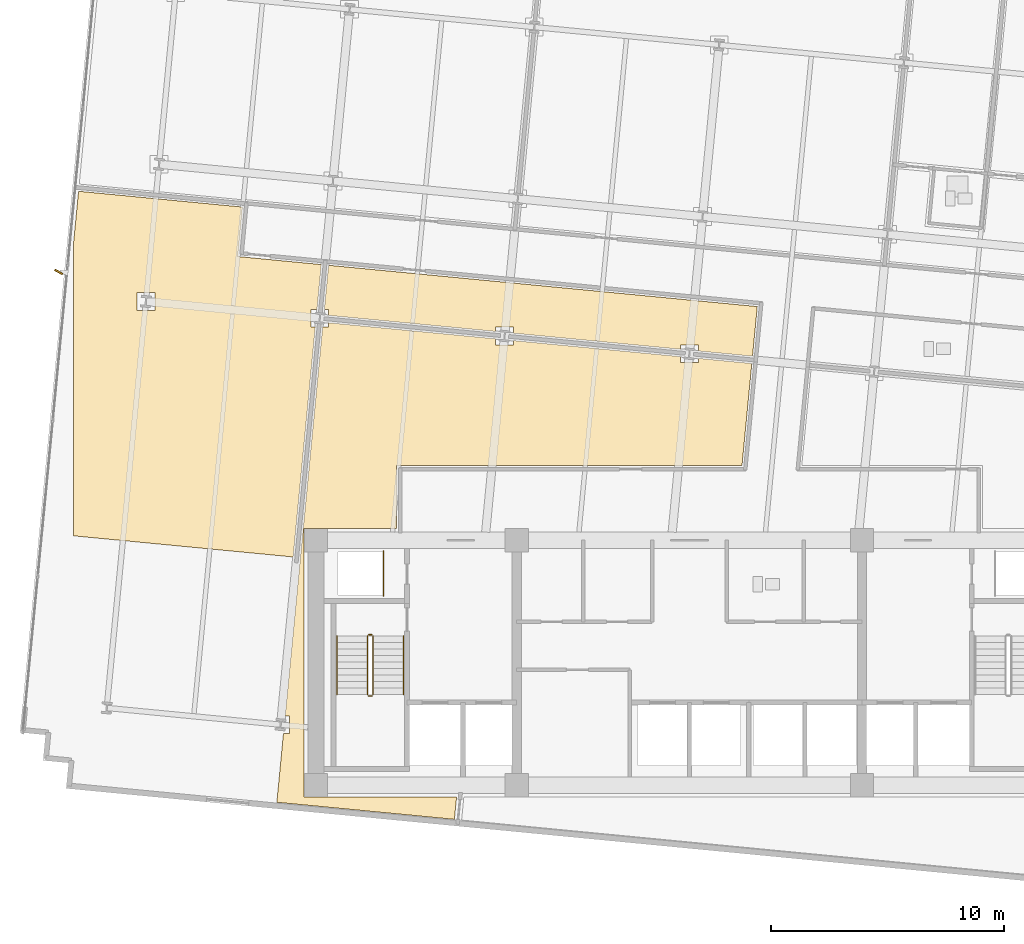
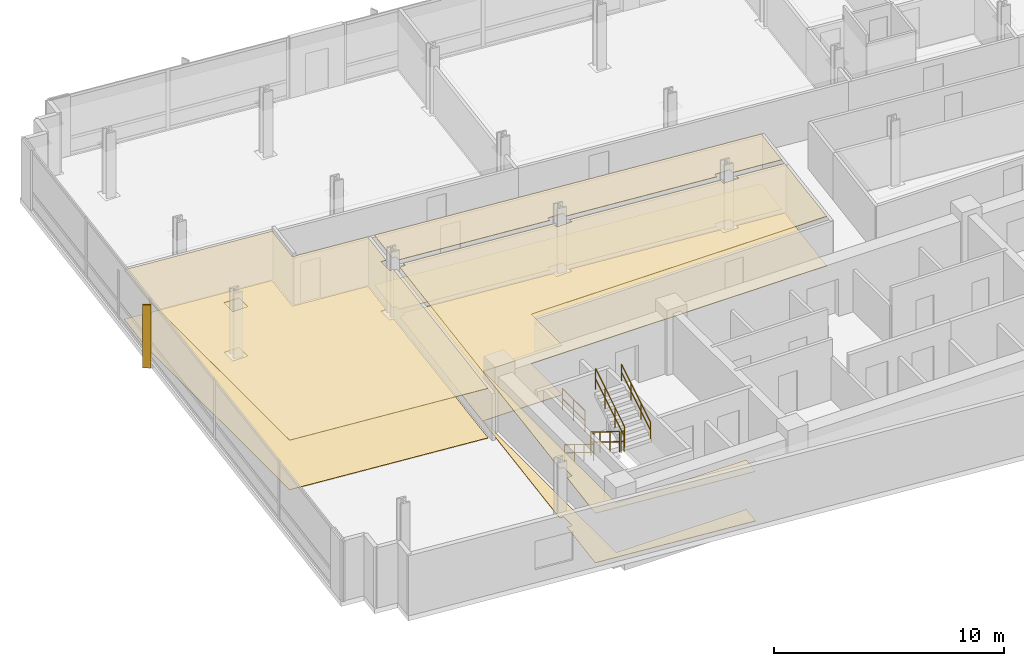
# One storey, part 13 of 17: 7 railings, 6 coverings, 1 shading device.
"""IFC4 building model written with IfcOpenShell, lengths in metres."""

from ifc_helpers import new_model, si_unit, direction, frame, origin, origin_2d, place, context, subcontext, project, spatial, polyline, rectangle, circle, outline, extrude, material, layer, layer_set, type_object, element, save


model = new_model("IFC4")

# Units and contexts
model_context = context("Model", 3, precision=1e-05, world=origin(), true_north=direction((0.0, 1.0)))
body_context = subcontext(model_context, "Body", "Model", "MODEL_VIEW")
ifc_project = project(units=[si_unit("LENGTHUNIT", "METRE"), si_unit("AREAUNIT", "SQUARE_METRE"), si_unit("VOLUMEUNIT", "CUBIC_METRE"), si_unit("PLANEANGLEUNIT", "RADIAN"), si_unit("MASSUNIT", "GRAM", prefix="KILO")], contexts=[model_context])

# Site, building, storey
site_placement = place(None, origin())
site = spatial("IfcSite", under=ifc_project, at=site_placement, CompositionType="ELEMENT")
building_placement = place(site_placement, origin())
building = spatial("IfcBuilding", under=site, at=building_placement, Name="Solmavex Isthmus Hotel", CompositionType="ELEMENT")
storey_placement = place(building_placement, frame((0.0, 0.0, 163.5)))
storey = spatial("IfcBuildingStorey", under=building, at=storey_placement, Name="L44", CompositionType="ELEMENT", Elevation=163.5)

# Coverings
ifc_material_1 = material(Name="Gypsum plasterboard lining", Category="gypsum")
ifc_layer_1 = layer(ifc_material_1, 0.030029296875)
ifc_layer_set_1 = layer_set([ifc_layer_1], Name="Gypsum plasterboard lining")
covering_type_1 = type_object("IfcCoveringType", Name="COV-CEIL-GYP", PredefinedType="CEILING", material=ifc_layer_set_1)
covering_1_placement = place(storey_placement, frame((0.0, 0.0, 2.6201171875)))
element("IfcCovering", 1, at=covering_1_placement, inside=storey, type_object=covering_type_1, Name="Suspended Acoustic Ceiling L44-FL06", PredefinedType="CEILING", context=body_context, shape_type="SweptSolid", body=[
    extrude(outline(polyline([(-0.378662109375, 5.6826171875), (-0.378662109375, 5.870361328125), (0.38134765625, 5.870361328125), (0.38134765625, 5.609375), (2.706787109375, 5.385498046875), (2.911865234375, 7.515625), (-15.463134765625, 9.284912109375), (-15.645263671875, 7.3955078125), (-15.45751953125, 7.3955078125), (-15.45751953125, 7.134521484375), (-8.298095703125, 6.445068359375), (-8.298095703125, 6.6328125), (-7.5380859375, 6.6328125), (-7.5380859375, 6.3720703125), (-0.378662109375, 5.6826171875)])), origin(), (0.0, 0.0, 1.0), 0.02978515625),
])
covering_2_placement = place(storey_placement, frame((0.0, 0.0, 2.6201171875)))
element("IfcCovering", 2, at=covering_2_placement, inside=storey, type_object=covering_type_1, Name="Suspended Acoustic Ceiling L44-FL08", PredefinedType="CEILING", context=body_context, shape_type="SweptSolid", body=[
    extrude(outline(polyline([(-17.322509765625, -10.02392578125), (-17.134765625, -10.02392578125), (-17.134765625, -10.783935546875), (-17.395751953125, -10.783935546875), (-17.67919921875, -13.728515625), (-10.068359375, -14.46142578125), (-9.976318359375, -13.5048828125), (-16.5048828125, -13.5048828125), (-16.5048828125, -1.9951171875), (-12.554931640625, -1.9951171875), (-12.554931640625, 0.705078125), (2.256103515625, 0.705078125), (2.677001953125, 5.076904296875), (0.38134765625, 5.298095703125), (0.38134765625, 5.1103515625), (-0.378662109375, 5.1103515625), (-0.378662109375, 5.37109375), (-7.5380859375, 6.060546875), (-7.5380859375, 5.872802734375), (-8.298095703125, 5.872802734375), (-8.298095703125, 6.1337890625), (-15.45751953125, 6.822998046875), (-15.45751953125, 6.635498046875), (-15.71826171875, 6.635498046875), (-17.322509765625, -10.02392578125)])), origin(), (0.0, 0.0, 1.0), 0.02978515625),
])
covering_3_placement = place(storey_placement, frame((0.0, 0.0, 2.6201171875)))
element("IfcCovering", 3, at=covering_3_placement, inside=storey, type_object=covering_type_1, Name="Suspended Acoustic Ceiling L44-FL10", PredefinedType="CEILING", context=body_context, shape_type="SweptSolid", body=[
    extrude(outline(polyline([(-16.02978515625, 6.635498046875), (-16.217529296875, 6.635498046875), (-16.217529296875, 7.3955078125), (-15.95654296875, 7.3955078125), (-15.771728515625, 9.314697265625), (-19.355224609375, 9.65966796875), (-19.151123046875, 11.780029296875), (-26.176513671875, 12.45654296875), (-26.39990234375, 10.135986328125), (-26.39990234375, -2.31005859375), (-16.978515625, -3.21728515625), (-16.02978515625, 6.635498046875)]), holes=[polyline([(-23.6708984375, 7.35302734375), (-23.6708984375, 8.113037109375), (-22.910888671875, 8.113037109375), (-22.910888671875, 7.35302734375), (-23.6708984375, 7.35302734375)])]), origin(), (0.0, 0.0, 1.0), 0.02978515625),
])
ifc_material_2 = material(Name="Travertine natural stone", Category="masonry")
ifc_layer_2 = layer(ifc_material_2, 0.02490234375)
ifc_layer_set_2 = layer_set([ifc_layer_2], Name="Travertine natural stone")
covering_type_2 = type_object("IfcCoveringType", Name="COV-FLOR-STN", PredefinedType="FLOORING", material=ifc_layer_set_2)
covering_4_placement = place(storey_placement, origin())
element("IfcCovering", 4, at=covering_4_placement, inside=storey, type_object=covering_type_2, Name="Stone and Timber Floor Finish L44-FL06", PredefinedType="FLOORING", context=body_context, shape_type="SweptSolid", body=[
    extrude(outline(polyline([(-0.378662109375, 5.6826171875), (-0.378662109375, 5.870361328125), (0.38134765625, 5.870361328125), (0.38134765625, 5.609375), (2.706787109375, 5.385498046875), (2.911865234375, 7.515625), (-15.463134765625, 9.284912109375), (-15.645263671875, 7.3955078125), (-15.45751953125, 7.3955078125), (-15.45751953125, 7.134521484375), (-8.298095703125, 6.445068359375), (-8.298095703125, 6.6328125), (-7.5380859375, 6.6328125), (-7.5380859375, 6.3720703125), (-0.378662109375, 5.6826171875)])), origin(), (0.0, 0.0, 1.0), 0.02490234375),
])
covering_5_placement = place(storey_placement, origin())
element("IfcCovering", 5, at=covering_5_placement, inside=storey, type_object=covering_type_2, Name="Stone and Timber Floor Finish L44-FL08", PredefinedType="FLOORING", context=body_context, shape_type="SweptSolid", body=[
    extrude(outline(polyline([(-17.322509765625, -10.02392578125), (-17.134765625, -10.02392578125), (-17.134765625, -10.783935546875), (-17.395751953125, -10.783935546875), (-17.67919921875, -13.728515625), (-10.068359375, -14.46142578125), (-9.976318359375, -13.5048828125), (-16.5048828125, -13.5048828125), (-16.5048828125, -1.9951171875), (-12.554931640625, -1.9951171875), (-12.554931640625, 0.705078125), (2.256103515625, 0.705078125), (2.677001953125, 5.076904296875), (0.38134765625, 5.298095703125), (0.38134765625, 5.1103515625), (-0.378662109375, 5.1103515625), (-0.378662109375, 5.37109375), (-7.5380859375, 6.060546875), (-7.5380859375, 5.872802734375), (-8.298095703125, 5.872802734375), (-8.298095703125, 6.1337890625), (-15.45751953125, 6.822998046875), (-15.45751953125, 6.635498046875), (-15.71826171875, 6.635498046875), (-17.322509765625, -10.02392578125)])), origin(), (0.0, 0.0, 1.0), 0.02490234375),
])
covering_6_placement = place(storey_placement, origin())
element("IfcCovering", 6, at=covering_6_placement, inside=storey, type_object=covering_type_2, Name="Stone and Timber Floor Finish L44-FL10", PredefinedType="FLOORING", context=body_context, shape_type="SweptSolid", body=[
    extrude(outline(polyline([(-16.02978515625, 6.635498046875), (-16.217529296875, 6.635498046875), (-16.217529296875, 7.3955078125), (-15.95654296875, 7.3955078125), (-15.771728515625, 9.314697265625), (-19.355224609375, 9.65966796875), (-19.151123046875, 11.780029296875), (-26.176513671875, 12.45654296875), (-26.39990234375, 10.135986328125), (-26.39990234375, -2.31005859375), (-16.978515625, -3.21728515625), (-16.02978515625, 6.635498046875)]), holes=[polyline([(-23.6708984375, 7.35302734375), (-23.6708984375, 8.113037109375), (-22.910888671875, 8.113037109375), (-22.910888671875, 7.35302734375), (-23.6708984375, 7.35302734375)])]), origin(), (0.0, 0.0, 1.0), 0.02490234375),
])

# Railings
ifc_material_3 = material(Name="Clear low-E laminated glass", Category="glass")
ifc_layer_3 = layer(ifc_material_3, 0.080078125)
ifc_layer_set_3 = layer_set([ifc_layer_3], Name="Clear low-E laminated glass")
railing_type_1 = type_object("IfcRailingType", Name="RAIL-ATRIUM-1120", PredefinedType="BALUSTRADE", material=ifc_layer_set_3)
railing_1_placement = place(storey_placement, frame((-13.10009765625, -4.89990234375, 0.0)))
element("IfcRailing", 7, at=railing_1_placement, inside=storey, type_object=railing_type_1, Name="Guardrail Balustrade L44-RSW-01", PredefinedType="BALUSTRADE", context=body_context, shape_type="SweptSolid", body=[
    extrude(circle(Radius=0.02392578125, at=origin_2d()), frame((0.0, 0.0, 1.1259765625), z_axis=(0.0, 1.0, 0.0), x_axis=(-1.0, 0.0, 0.0)), (0.0, 0.0, 1.0), 1.949951171875),
    extrude(circle(Radius=0.02392578125, at=origin_2d()), frame((0.0, 0.0, 0.574951171875), z_axis=(0.0, 1.0, 0.0), x_axis=(-1.0, 0.0, 0.0)), (0.0, 0.0, 1.0), 1.949951171875),
    extrude(circle(Radius=0.02099609375, at=origin_2d()), origin(), (0.0, 0.0, 1.0), 1.101806640625),
    extrude(circle(Radius=0.02099609375, at=origin_2d()), frame((0.0, 0.97509765625, 0.0)), (0.0, 0.0, 1.0), 1.101806640625),
    extrude(circle(Radius=0.02099609375, at=origin_2d()), frame((0.0, 1.949951171875, 0.0)), (0.0, 0.0, 1.0), 1.101806640625),
])
ifc_material_4 = material(Name="Stainless steel 316", Category="steel")
ifc_layer_4 = layer(ifc_material_4, 0.06005859375)
ifc_layer_set_4 = layer_set([ifc_layer_4], Name="Stainless steel 316")
railing_type_2 = type_object("IfcRailingType", Name="RAIL-STAIR-GD", PredefinedType="GUARDRAIL", material=ifc_layer_set_4)
railing_2_placement = place(storey_placement, frame((-13.800048828125, -6.60009765625, 0.172607421875)))
element("IfcRailing", 8, at=railing_2_placement, inside=storey, type_object=railing_type_2, Name="L44 ST-1 stair guard 1", PredefinedType="GUARDRAIL", context=body_context, shape_type="SweptSolid", body=[
    extrude(circle(Radius=0.02392578125, at=origin_2d()), frame((0.0, 0.0, 1.09619140625), z_axis=(0.0, -0.851400495292, 0.524516154772), x_axis=(1.0, 0.0, 0.0)), (0.0, 0.0, 1.0), 2.9599609375),
    extrude(circle(Radius=0.02392578125, at=origin_2d()), frame((0.0, 0.0, 0.56005859375), z_axis=(0.0, -0.851400495292, 0.524516154772), x_axis=(1.0, 0.0, 0.0)), (0.0, 0.0, 1.0), 2.9599609375),
    extrude(circle(Radius=0.02099609375, at=origin_2d()), origin(), (0.0, 0.0, 1.0), 1.072021484375),
    extrude(circle(Radius=0.02099609375, at=origin_2d()), frame((0.0, -0.840087890625, 0.517578125)), (0.0, 0.0, 1.0), 1.072021484375),
    extrude(circle(Radius=0.02099609375, at=origin_2d()), frame((0.0, -1.679931640625, 1.034912109375)), (0.0, 0.0, 1.0), 1.072021484375),
    extrude(circle(Radius=0.02099609375, at=origin_2d()), frame((0.0, -2.52001953125, 1.552490234375)), (0.0, 0.0, 1.0), 1.072021484375),
])
railing_3_placement = place(storey_placement, frame((-13.75, -9.169921875, 1.72509765625)))
element("IfcRailing", 9, at=railing_3_placement, inside=storey, type_object=railing_type_2, Name="L44 ST-1 stair guard 2", PredefinedType="GUARDRAIL", context=body_context, shape_type="SweptSolid", body=[
    extrude(circle(Radius=0.02392578125, at=origin_2d()), frame((0.0, 0.0, 1.09619140625), z_axis=(1.0, 0.0, 0.0), x_axis=(0.0, 1.0, 0.0)), (0.0, 0.0, 1.0), 0.14990234375),
    extrude(circle(Radius=0.02392578125, at=origin_2d()), frame((0.0, 0.0, 0.56005859375), z_axis=(1.0, 0.0, 0.0), x_axis=(0.0, 1.0, 0.0)), (0.0, 0.0, 1.0), 0.14990234375),
    extrude(circle(Radius=0.02099609375, at=origin_2d()), origin(), (0.0, 0.0, 1.0), 1.072021484375),
    extrude(circle(Radius=0.02099609375, at=origin_2d()), frame((0.14990234375, 0.0, 0.0)), (0.0, 0.0, 1.0), 1.072021484375),
])
railing_4_placement = place(storey_placement, frame((-13.550048828125, -9.1201171875, 1.8974609375)))
element("IfcRailing", 10, at=railing_4_placement, inside=storey, type_object=railing_type_2, Name="L44 ST-1 stair guard 3", PredefinedType="GUARDRAIL", context=body_context, shape_type="SweptSolid", body=[
    extrude(circle(Radius=0.02392578125, at=origin_2d()), frame((0.0, 0.0, 1.09619140625), z_axis=(0.0, 0.851400495292, 0.524516154772), x_axis=(-1.0, 0.0, 0.0)), (0.0, 0.0, 1.0), 2.9599609375),
    extrude(circle(Radius=0.02392578125, at=origin_2d()), frame((0.0, 0.0, 0.56005859375), z_axis=(0.0, 0.851400495292, 0.524516154772), x_axis=(-1.0, 0.0, 0.0)), (0.0, 0.0, 1.0), 2.9599609375),
    extrude(circle(Radius=0.02099609375, at=origin_2d()), origin(), (0.0, 0.0, 1.0), 1.072021484375),
    extrude(circle(Radius=0.02099609375, at=origin_2d()), frame((0.0, 0.840087890625, 0.517578125)), (0.0, 0.0, 1.0), 1.072021484375),
    extrude(circle(Radius=0.02099609375, at=origin_2d()), frame((0.0, 1.679931640625, 1.034912109375)), (0.0, 0.0, 1.0), 1.072021484375),
    extrude(circle(Radius=0.02099609375, at=origin_2d()), frame((0.0, 2.52001953125, 1.552490234375)), (0.0, 0.0, 1.0), 1.072021484375),
])
railing_5_placement = place(storey_placement, frame((-13.75, -6.550048828125, 0.0)))
element("IfcRailing", 11, at=railing_5_placement, inside=storey, type_object=railing_type_2, Name="L44 ST-1 stair guard 4", PredefinedType="GUARDRAIL", context=body_context, shape_type="SweptSolid", body=[
    extrude(circle(Radius=0.02392578125, at=origin_2d()), frame((0.0, 0.0, 1.09619140625), z_axis=(1.0, 0.0, 0.0), x_axis=(0.0, 1.0, 0.0)), (0.0, 0.0, 1.0), 0.14990234375),
    extrude(circle(Radius=0.02392578125, at=origin_2d()), frame((0.0, 0.0, 0.56005859375), z_axis=(1.0, 0.0, 0.0), x_axis=(0.0, 1.0, 0.0)), (0.0, 0.0, 1.0), 0.14990234375),
    extrude(circle(Radius=0.02099609375, at=origin_2d()), origin(), (0.0, 0.0, 1.0), 1.072021484375),
    extrude(circle(Radius=0.02099609375, at=origin_2d()), frame((0.14990234375, 0.0, 0.0)), (0.0, 0.0, 1.0), 1.072021484375),
])
ifc_layer_5 = layer(ifc_material_4, 0.050048828125)
ifc_layer_set_5 = layer_set([ifc_layer_5], Name="Stainless steel 316")
railing_type_3 = type_object("IfcRailingType", Name="RAIL-STAIR-HR", PredefinedType="HANDRAIL", material=ifc_layer_set_5)
railing_6_placement = place(storey_placement, frame((-15.10009765625, -6.60009765625, 0.172607421875)))
element("IfcRailing", 12, at=railing_6_placement, inside=storey, type_object=railing_type_3, Name="L44 ST-1 stair handrail 1", PredefinedType="HANDRAIL", context=body_context, shape_type="SweptSolid", body=[
    extrude(circle(Radius=0.02392578125, at=origin_2d()), frame((0.0, 0.0, 0.8759765625), z_axis=(0.0, -0.851400495292, 0.524516154772), x_axis=(1.0, 0.0, 0.0)), (0.0, 0.0, 1.0), 2.9599609375),
    extrude(circle(Radius=0.02392578125, at=origin_2d()), frame((0.0, 0.0, 0.449951171875), z_axis=(0.0, -0.851400495292, 0.524516154772), x_axis=(1.0, 0.0, 0.0)), (0.0, 0.0, 1.0), 2.9599609375),
    extrude(circle(Radius=0.02099609375, at=origin_2d()), origin(), (0.0, 0.0, 1.0), 0.851806640625),
    extrude(circle(Radius=0.02099609375, at=origin_2d()), frame((0.0, -0.840087890625, 0.517578125)), (0.0, 0.0, 1.0), 0.851806640625),
    extrude(circle(Radius=0.02099609375, at=origin_2d()), frame((0.0, -1.679931640625, 1.034912109375)), (0.0, 0.0, 1.0), 0.851806640625),
    extrude(circle(Radius=0.02099609375, at=origin_2d()), frame((0.0, -2.52001953125, 1.552490234375)), (0.0, 0.0, 1.0), 0.851806640625),
])
railing_7_placement = place(storey_placement, frame((-12.25, -9.1201171875, 1.8974609375)))
element("IfcRailing", 13, at=railing_7_placement, inside=storey, type_object=railing_type_3, Name="L44 ST-1 stair handrail 2", PredefinedType="HANDRAIL", context=body_context, shape_type="SweptSolid", body=[
    extrude(circle(Radius=0.02392578125, at=origin_2d()), frame((0.0, 0.0, 0.8759765625), z_axis=(0.0, 0.851400495292, 0.524516154772), x_axis=(-1.0, 0.0, 0.0)), (0.0, 0.0, 1.0), 2.9599609375),
    extrude(circle(Radius=0.02392578125, at=origin_2d()), frame((0.0, 0.0, 0.449951171875), z_axis=(0.0, 0.851400495292, 0.524516154772), x_axis=(-1.0, 0.0, 0.0)), (0.0, 0.0, 1.0), 2.9599609375),
    extrude(circle(Radius=0.02099609375, at=origin_2d()), origin(), (0.0, 0.0, 1.0), 0.851806640625),
    extrude(circle(Radius=0.02099609375, at=origin_2d()), frame((0.0, 0.840087890625, 0.517578125)), (0.0, 0.0, 1.0), 0.851806640625),
    extrude(circle(Radius=0.02099609375, at=origin_2d()), frame((0.0, 1.679931640625, 1.034912109375)), (0.0, 0.0, 1.0), 0.851806640625),
    extrude(circle(Radius=0.02099609375, at=origin_2d()), frame((0.0, 2.52001953125, 1.552490234375)), (0.0, 0.0, 1.0), 0.851806640625),
])

# Shading device
ifc_material_5 = material(Name="Aluminium alloy 6063-T6", Category="aluminium")
shading_device_type = type_object("IfcShadingDeviceType", Name="SHD-FIN-CHAMP", PredefinedType="USERDEFINED", material=ifc_material_5)
shading_device_placement = place(storey_placement, frame((-27.027099609375, 8.9970703125, -0.14013671875), z_axis=(0.0, 0.0, 1.0), x_axis=(-0.87035569594, 0.492423560103, 0.0)))
element("IfcShadingDevice", 14, at=shading_device_placement, inside=storey, type_object=shading_device_type, Name="Anodised Aluminium Solar Fin L44-W1", ObjectType="SOLAR_FIN", PredefinedType="USERDEFINED", context=body_context, shape_type="SweptSolid", body=[
    extrude(rectangle(XDim=0.3798828125, YDim=0.070068359375, at=origin_2d()), origin(), (0.0, 0.0, 1.0), 3.330078125),
])

save(model, "model.ifc")
